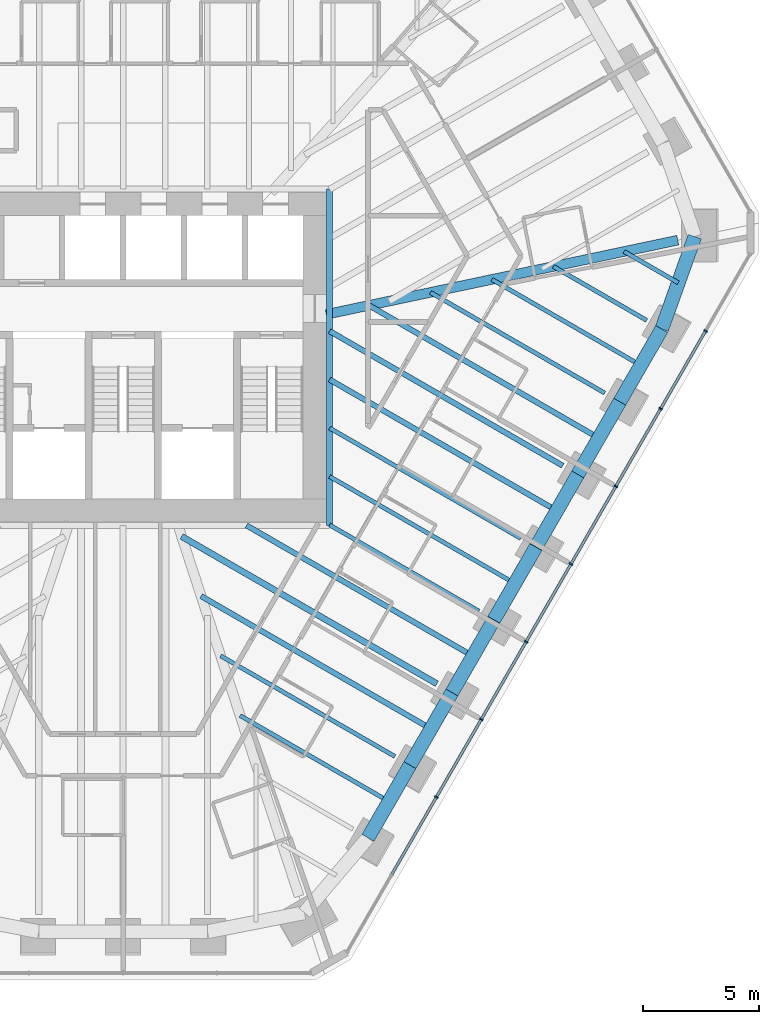
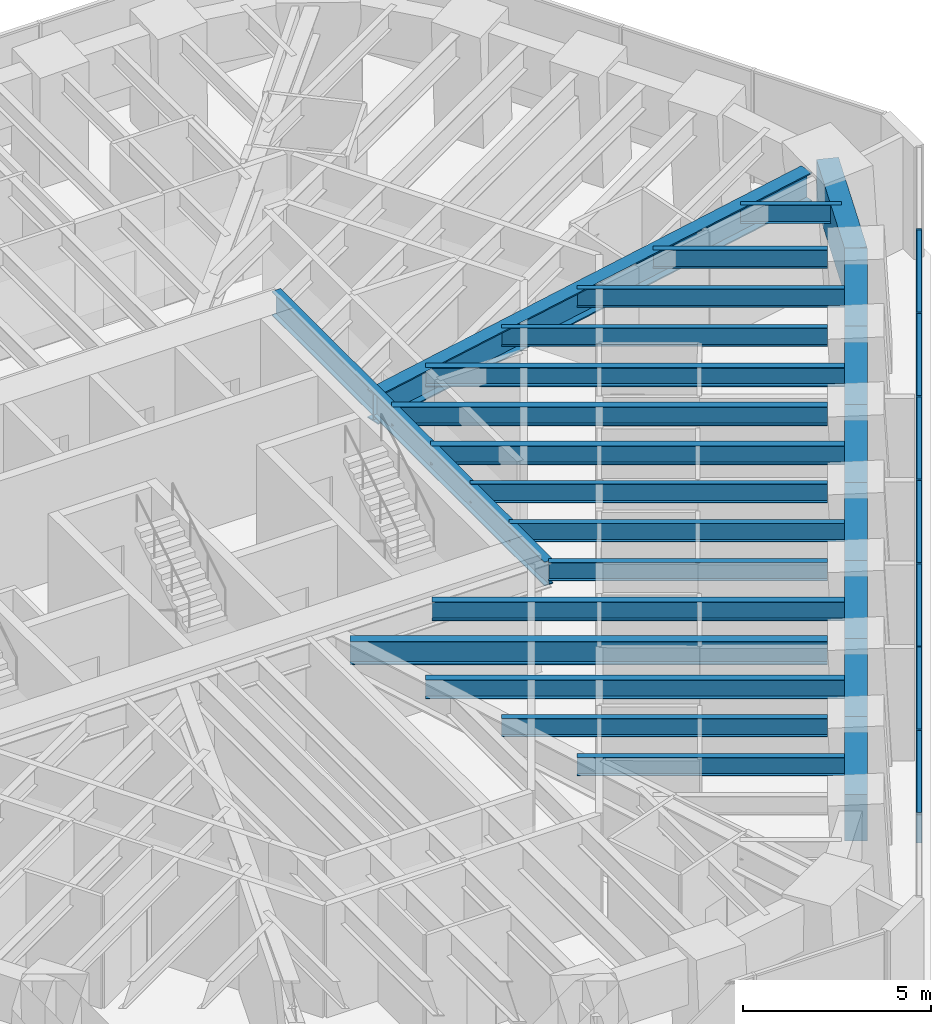
# One storey, part 5 of 17: 25 beams, 14 members, 1 element without a shape of its own.
"""IFC4 building model written with IfcOpenShell, lengths in metres."""

from ifc_helpers import new_model, si_unit, direction, frame, origin, origin_2d, place, context, subcontext, project, spatial, rectangle, i_section, extrude, material, material_profile, profile_set, type_object, element, aggregate, save


model = new_model("IFC4")

# Units and contexts
model_context = context("Model", 3, precision=1e-05, world=origin(), true_north=direction((0.0, 1.0)))
body_context = subcontext(model_context, "Body", "Model", "MODEL_VIEW")
ifc_project = project(units=[si_unit("LENGTHUNIT", "METRE"), si_unit("AREAUNIT", "SQUARE_METRE"), si_unit("VOLUMEUNIT", "CUBIC_METRE"), si_unit("PLANEANGLEUNIT", "RADIAN"), si_unit("MASSUNIT", "GRAM", prefix="KILO")], contexts=[model_context])

# Site, building, storey
site_placement = place(None, origin())
site = spatial("IfcSite", under=ifc_project, at=site_placement, CompositionType="ELEMENT")
building_placement = place(site_placement, origin())
building = spatial("IfcBuilding", under=site, at=building_placement, Name="Sandreach Pilgrim Tower", CompositionType="ELEMENT")
storey_placement = place(building_placement, frame((0.0, 0.0, 236.39990234375)))
storey = spatial("IfcBuildingStorey", under=building, at=storey_placement, Name="L59", CompositionType="ELEMENT", Elevation=236.39990234375)

# Curtain wall, members
ifc_material_1 = material(Name="Aluminium framed curtain wall", Category="aluminium")
curtain_wall_type = type_object("IfcCurtainWallType", Name="Upper hotel tower curtain wall", PredefinedType="NOTDEFINED", material=ifc_material_1)
curtain_wall_placement = place(storey_placement, origin())
curtain_wall = element("IfcCurtainWall", 1, at=curtain_wall_placement, inside=storey, type_object=curtain_wall_type, Name="CW-3 L59 SE", PredefinedType="NOTDEFINED")
ifc_material_2 = material(Name="Aluminium extrusion", Category="aluminium")
ifc_material_profile_1 = material_profile(ifc_material_2, rectangle(XDim=0.06494140625, YDim=0.159912109375, at=origin_2d()), Name="CW-3M 65X160")
ifc_profile_set_1 = profile_set([ifc_material_profile_1], Name="Aluminium extrusion")
member_type_1 = type_object("IfcMemberType", Name="CW-3 mullion", PredefinedType="MULLION", material=ifc_profile_set_1)
member_1_placement = place(storey_placement, frame((25.087890625, 1.13330078125, 0.0), z_axis=(0.0, 0.0, 1.0), x_axis=(-0.5, -0.866025403784, 0.0)))
member_1 = element("IfcMember", 2, at=member_1_placement, type_object=member_type_1, Name="CW-3 mullion 2", PredefinedType="MULLION", context=body_context, shape_type="SweptSolid", body=[
    extrude(rectangle(XDim=0.06494140625, YDim=0.159912109375, at=origin_2d()), origin(), (0.0, 0.0, 1.0), 3.64013671875),
])
member_2_placement = place(storey_placement, frame((23.15576171875, -2.21337890625, 0.0), z_axis=(0.0, 0.0, 1.0), x_axis=(-0.5, -0.866025403784, 0.0)))
member_2 = element("IfcMember", 3, at=member_2_placement, type_object=member_type_1, Name="CW-3 mullion 3", PredefinedType="MULLION", context=body_context, shape_type="SweptSolid", body=[
    extrude(rectangle(XDim=0.06494140625, YDim=0.159912109375, at=origin_2d()), origin(), (0.0, 0.0, 1.0), 3.64013671875),
])
member_3_placement = place(storey_placement, frame((21.223388671875, -5.56005859375, 0.0), z_axis=(0.0, 0.0, 1.0), x_axis=(-0.5, -0.866025403784, 0.0)))
member_3 = element("IfcMember", 4, at=member_3_placement, type_object=member_type_1, Name="CW-3 mullion 4", PredefinedType="MULLION", context=body_context, shape_type="SweptSolid", body=[
    extrude(rectangle(XDim=0.06494140625, YDim=0.159912109375, at=origin_2d()), origin(), (0.0, 0.0, 1.0), 3.64013671875),
])
member_4_placement = place(storey_placement, frame((19.291259765625, -8.90673828125, 0.0), z_axis=(0.0, 0.0, 1.0), x_axis=(-0.5, -0.866025403784, 0.0)))
member_4 = element("IfcMember", 5, at=member_4_placement, type_object=member_type_1, Name="CW-3 mullion 5", PredefinedType="MULLION", context=body_context, shape_type="SweptSolid", body=[
    extrude(rectangle(XDim=0.06494140625, YDim=0.159912109375, at=origin_2d()), origin(), (0.0, 0.0, 1.0), 3.64013671875),
])
member_5_placement = place(storey_placement, frame((17.359130859375, -12.25341796875, 0.0), z_axis=(0.0, 0.0, 1.0), x_axis=(-0.5, -0.866025403784, 0.0)))
member_5 = element("IfcMember", 6, at=member_5_placement, type_object=member_type_1, Name="CW-3 mullion 6", PredefinedType="MULLION", context=body_context, shape_type="SweptSolid", body=[
    extrude(rectangle(XDim=0.06494140625, YDim=0.159912109375, at=origin_2d()), origin(), (0.0, 0.0, 1.0), 3.64013671875),
])
member_6_placement = place(storey_placement, frame((15.4267578125, -15.60009765625, 0.0), z_axis=(0.0, 0.0, 1.0), x_axis=(-0.5, -0.866025403784, 0.0)))
member_6 = element("IfcMember", 7, at=member_6_placement, type_object=member_type_1, Name="CW-3 mullion 7", PredefinedType="MULLION", context=body_context, shape_type="SweptSolid", body=[
    extrude(rectangle(XDim=0.06494140625, YDim=0.159912109375, at=origin_2d()), origin(), (0.0, 0.0, 1.0), 3.64013671875),
])
member_7_placement = place(storey_placement, frame((13.49462890625, -18.94677734375, 0.0), z_axis=(0.0, 0.0, 1.0), x_axis=(-0.5, -0.866025403784, 0.0)))
member_7 = element("IfcMember", 8, at=member_7_placement, type_object=member_type_1, Name="CW-3 mullion 8", PredefinedType="MULLION", context=body_context, shape_type="SweptSolid", body=[
    extrude(rectangle(XDim=0.06494140625, YDim=0.159912109375, at=origin_2d()), origin(), (0.0, 0.0, 1.0), 3.64013671875),
])
ifc_material_3 = material(Name="Aluminium extrusion", Category="aluminium")
ifc_material_profile_2 = material_profile(ifc_material_3, rectangle(XDim=0.1201171875, YDim=0.070068359375, at=origin_2d()), Name="CW-3T 120X70")
ifc_profile_set_2 = profile_set([ifc_material_profile_2], Name="Aluminium extrusion")
member_type_2 = type_object("IfcMemberType", Name="CW-3 transom", PredefinedType="USERDEFINED", material=ifc_profile_set_2)
member_8_placement = place(storey_placement, frame((25.07177734375, 1.105224609375, 3.60498046875), z_axis=(-0.500022797313, -0.86601224135, 0.0), x_axis=(0.86601224135, -0.500022797313, 0.0)))
member_8 = element("IfcMember", 9, at=member_8_placement, type_object=member_type_2, Name="CW-3 head transom 2", ObjectType="TRANSOM", PredefinedType="USERDEFINED", context=body_context, shape_type="SweptSolid", body=[
    extrude(rectangle(XDim=0.1201171875, YDim=0.070068359375, at=origin_2d()), origin(), (0.0, 0.0, 1.0), 3.799560546875),
])
member_9_placement = place(storey_placement, frame((23.139404296875, -2.241455078125, 3.60498046875), z_axis=(-0.499974606132, -0.866040064445, 0.0), x_axis=(0.866040064445, -0.499974606132, 0.0)))
member_9 = element("IfcMember", 10, at=member_9_placement, type_object=member_type_2, Name="CW-3 head transom 3", ObjectType="TRANSOM", PredefinedType="USERDEFINED", context=body_context, shape_type="SweptSolid", body=[
    extrude(rectangle(XDim=0.1201171875, YDim=0.070068359375, at=origin_2d()), origin(), (0.0, 0.0, 1.0), 3.799560546875),
])
member_10_placement = place(storey_placement, frame((21.207275390625, -5.588134765625, 3.60498046875), z_axis=(-0.499974606132, -0.866040064445, 0.0), x_axis=(0.866040064445, -0.499974606132, 0.0)))
member_10 = element("IfcMember", 11, at=member_10_placement, type_object=member_type_2, Name="CW-3 head transom 4", ObjectType="TRANSOM", PredefinedType="USERDEFINED", context=body_context, shape_type="SweptSolid", body=[
    extrude(rectangle(XDim=0.1201171875, YDim=0.070068359375, at=origin_2d()), origin(), (0.0, 0.0, 1.0), 3.799560546875),
])
member_11_placement = place(storey_placement, frame((19.275146484375, -8.934814453125, 3.60498046875), z_axis=(-0.500022797313, -0.86601224135, 0.0), x_axis=(0.86601224135, -0.500022797313, 0.0)))
member_11 = element("IfcMember", 12, at=member_11_placement, type_object=member_type_2, Name="CW-3 head transom 5", ObjectType="TRANSOM", PredefinedType="USERDEFINED", context=body_context, shape_type="SweptSolid", body=[
    extrude(rectangle(XDim=0.1201171875, YDim=0.070068359375, at=origin_2d()), origin(), (0.0, 0.0, 1.0), 3.799560546875),
])
member_12_placement = place(storey_placement, frame((17.3427734375, -12.281494140625, 3.60498046875), z_axis=(-0.499974606132, -0.866040064445, 0.0), x_axis=(0.866040064445, -0.499974606132, 0.0)))
member_12 = element("IfcMember", 13, at=member_12_placement, type_object=member_type_2, Name="CW-3 head transom 6", ObjectType="TRANSOM", PredefinedType="USERDEFINED", context=body_context, shape_type="SweptSolid", body=[
    extrude(rectangle(XDim=0.1201171875, YDim=0.070068359375, at=origin_2d()), origin(), (0.0, 0.0, 1.0), 3.799560546875),
])
member_13_placement = place(storey_placement, frame((15.41064453125, -15.628173828125, 3.60498046875), z_axis=(-0.499974606132, -0.866040064445, 0.0), x_axis=(0.866040064445, -0.499974606132, 0.0)))
member_13 = element("IfcMember", 14, at=member_13_placement, type_object=member_type_2, Name="CW-3 head transom 7", ObjectType="TRANSOM", PredefinedType="USERDEFINED", context=body_context, shape_type="SweptSolid", body=[
    extrude(rectangle(XDim=0.1201171875, YDim=0.070068359375, at=origin_2d()), origin(), (0.0, 0.0, 1.0), 3.799560546875),
])
member_14_placement = place(storey_placement, frame((13.478515625, -18.974853515625, 3.60498046875), z_axis=(-0.500022797313, -0.86601224135, 0.0), x_axis=(0.86601224135, -0.500022797313, 0.0)))
member_14 = element("IfcMember", 15, at=member_14_placement, type_object=member_type_2, Name="CW-3 head transom 8", ObjectType="TRANSOM", PredefinedType="USERDEFINED", context=body_context, shape_type="SweptSolid", body=[
    extrude(rectangle(XDim=0.1201171875, YDim=0.070068359375, at=origin_2d()), origin(), (0.0, 0.0, 1.0), 3.799560546875),
])
aggregate(curtain_wall, [member_1, member_2, member_3, member_4, member_5, member_6, member_7, member_8, member_9, member_10, member_11, member_12, member_13, member_14])

# Beams
ifc_material_4 = material(Name="Steel ASTM A992 Grade 50", Category="steel")
ifc_material_profile_3 = material_profile(ifc_material_4, i_section(OverallWidth=0.2666015625, OverallDepth=0.77978515625, WebThickness=0.0166015625, FlangeThickness=0.030029296875, at=origin_2d()), Name="W30X148")
ifc_profile_set_3 = profile_set([ifc_material_profile_3], Name="Steel ASTM A992 Grade 50")
beam_type_1 = type_object("IfcBeamType", Name="Core edge beam W30X148", PredefinedType="BEAM", material=ifc_profile_set_3)
beam_1_placement = place(storey_placement, frame((8.893310546875, 7.243408203125, 3.250244140625), z_axis=(0.0, -1.0, 0.0), x_axis=(1.0, 0.0, 0.0)))
element("IfcBeam", 16, at=beam_1_placement, inside=storey, type_object=beam_type_1, Name="BM L59 CEE", PredefinedType="BEAM", context=body_context, shape_type="SweptSolid", body=[
    extrude(i_section(OverallWidth=0.2666015625, OverallDepth=0.77978515625, WebThickness=0.0166015625, FlangeThickness=0.030029296875, at=origin_2d()), origin(), (0.0, 0.0, 1.0), 14.48681640625),
])
ifc_material_5 = material(Name="Steel ASTM A992 Grade 50", Category="steel")
ifc_material_profile_4 = material_profile(ifc_material_5, i_section(OverallWidth=0.421630859375, OverallDepth=0.937255859375, WebThickness=0.0224609375, FlangeThickness=0.039794921875, at=origin_2d()), Name="W36X282")
ifc_profile_set_4 = profile_set([ifc_material_profile_4], Name="Steel ASTM A992 Grade 50")
beam_type_2 = type_object("IfcBeamType", Name="Corner girder W36X282", PredefinedType="BEAM", material=ifc_profile_set_4)
beam_2_placement = place(storey_placement, frame((23.89306640625, 5.044677734375, 3.17138671875), z_axis=(-0.978429112113, -0.206582846745, 0.0), x_axis=(0.206582846745, -0.978429112113, 0.0)))
element("IfcBeam", 17, at=beam_2_placement, inside=storey, type_object=beam_type_2, Name="BM L59 CG13", PredefinedType="BEAM", context=body_context, shape_type="SweptSolid", body=[
    extrude(i_section(OverallWidth=0.421630859375, OverallDepth=0.937255859375, WebThickness=0.0224609375, FlangeThickness=0.039794921875, at=origin_2d()), origin(), (0.0, 0.0, 1.0), 15.476806640625),
])
ifc_material_6 = material(Name="Steel ASTM A992 Grade 50", Category="steel")
ifc_material_profile_5 = material_profile(ifc_material_6, i_section(OverallWidth=0.1787109375, OverallDepth=0.60205078125, WebThickness=0.010986328125, FlangeThickness=0.014892578125, at=origin_2d()), Name="W24X62")
ifc_profile_set_5 = profile_set([ifc_material_profile_5], Name="Steel ASTM A992 Grade 50")
beam_type_3 = type_object("IfcBeamType", Name="Floor beam W24X62", PredefinedType="BEAM", material=ifc_profile_set_5)
beam_3_placement = place(storey_placement, frame((22.5517578125, 1.59130859375, 3.339111328125), z_axis=(-0.866020945878, 0.500007721242, 0.0), x_axis=(-0.500007721242, -0.866020945878, 0.0)))
element("IfcBeam", 18, at=beam_3_placement, inside=storey, type_object=beam_type_3, Name="BM L59 F14", PredefinedType="BEAM", context=body_context, shape_type="SweptSolid", body=[
    extrude(i_section(OverallWidth=0.1787109375, OverallDepth=0.60205078125, WebThickness=0.010986328125, FlangeThickness=0.014892578125, at=origin_2d()), origin(), (0.0, 0.0, 1.0), 4.642578125),
])
beam_4_placement = place(storey_placement, frame((20.743896484375, -1.539794921875, 3.339111328125), z_axis=(-0.866019559589, 0.500010122307, 0.0), x_axis=(-0.500010122307, -0.866019559589, 0.0)))
element("IfcBeam", 19, at=beam_4_placement, inside=storey, type_object=beam_type_3, Name="BM L59 F15", PredefinedType="BEAM", context=body_context, shape_type="SweptSolid", body=[
    extrude(i_section(OverallWidth=0.1787109375, OverallDepth=0.60205078125, WebThickness=0.010986328125, FlangeThickness=0.014892578125, at=origin_2d()), origin(), (0.0, 0.0, 1.0), 8.668701171875),
])
beam_5_placement = place(storey_placement, frame((17.128662109375, -7.8017578125, 3.339111328125), z_axis=(-0.866027396848, 0.499996547896, 0.0), x_axis=(-0.499996547896, -0.866027396848, 0.0)))
element("IfcBeam", 20, at=beam_5_placement, inside=storey, type_object=beam_type_3, Name="BM L59 F17", PredefinedType="BEAM", context=body_context, shape_type="SweptSolid", body=[
    extrude(i_section(OverallWidth=0.1787109375, OverallDepth=0.60205078125, WebThickness=0.010986328125, FlangeThickness=0.014892578125, at=origin_2d()), origin(), (0.0, 0.0, 1.0), 9.50927734375),
])
beam_6_placement = place(storey_placement, frame((15.32080078125, -10.932861328125, 3.339111328125), z_axis=(-0.866023987038, 0.500002453868, 0.0), x_axis=(-0.500002453868, -0.866023987038, 0.0)))
element("IfcBeam", 21, at=beam_6_placement, inside=storey, type_object=beam_type_3, Name="BM L59 F18", PredefinedType="BEAM", context=body_context, shape_type="SweptSolid", body=[
    extrude(i_section(OverallWidth=0.1787109375, OverallDepth=0.60205078125, WebThickness=0.010986328125, FlangeThickness=0.014892578125, at=origin_2d()), origin(), (0.0, 0.0, 1.0), 7.421875),
])
beam_7_placement = place(storey_placement, frame((11.70556640625, -17.19482421875, 3.339111328125), z_axis=(-0.866038795048, 0.499976804933, 0.0), x_axis=(-0.499976804933, -0.866038795048, 0.0)))
element("IfcBeam", 22, at=beam_7_placement, inside=storey, type_object=beam_type_3, Name="BM L59 F20", PredefinedType="BEAM", context=body_context, shape_type="SweptSolid", body=[
    extrude(i_section(OverallWidth=0.1787109375, OverallDepth=0.60205078125, WebThickness=0.010986328125, FlangeThickness=0.014892578125, at=origin_2d()), origin(), (0.0, 0.0, 1.0), 8.6689453125),
])
beam_8_placement = place(storey_placement, frame((23.9140625, 3.2080078125, 3.339111328125), z_axis=(-0.866055907267, 0.499947162696, 0.0), x_axis=(-0.499947162696, -0.866055907267, 0.0)))
element("IfcBeam", 23, at=beam_8_placement, inside=storey, type_object=beam_type_3, Name="BM L59 FM13", PredefinedType="BEAM", context=body_context, shape_type="SweptSolid", body=[
    extrude(i_section(OverallWidth=0.1787109375, OverallDepth=0.60205078125, WebThickness=0.010986328125, FlangeThickness=0.014892578125, at=origin_2d()), origin(), (0.0, 0.0, 1.0), 2.696044921875),
])
beam_9_placement = place(storey_placement, frame((22.29736328125, -0.34912109375, 3.339111328125), z_axis=(-0.866039558193, 0.499975483044, 0.0), x_axis=(-0.499975483044, -0.866039558193, 0.0)))
element("IfcBeam", 24, at=beam_9_placement, inside=storey, type_object=beam_type_3, Name="BM L59 FM14", PredefinedType="BEAM", context=body_context, shape_type="SweptSolid", body=[
    extrude(i_section(OverallWidth=0.1787109375, OverallDepth=0.60205078125, WebThickness=0.010986328125, FlangeThickness=0.014892578125, at=origin_2d()), origin(), (0.0, 0.0, 1.0), 7.405517578125),
])
beam_10_placement = place(storey_placement, frame((16.874267578125, -9.742431640625, 3.339111328125), z_axis=(-0.866020589223, 0.500008338972, 0.0), x_axis=(-0.500008338972, -0.866020589223, 0.0)))
element("IfcBeam", 25, at=beam_10_placement, inside=storey, type_object=beam_type_3, Name="BM L59 FM17", PredefinedType="BEAM", context=body_context, shape_type="SweptSolid", body=[
    extrude(i_section(OverallWidth=0.1787109375, OverallDepth=0.60205078125, WebThickness=0.010986328125, FlangeThickness=0.014892578125, at=origin_2d()), origin(), (0.0, 0.0, 1.0), 9.215576171875),
])
beam_11_placement = place(storey_placement, frame((11.451171875, -19.135498046875, 3.339111328125), z_axis=(-0.866025283471, 0.50000020839, 0.0), x_axis=(-0.50000020839, -0.866025283471, 0.0)))
element("IfcBeam", 26, at=beam_11_placement, inside=storey, type_object=beam_type_3, Name="BM L59 FM20", PredefinedType="BEAM", context=body_context, shape_type="SweptSolid", body=[
    extrude(i_section(OverallWidth=0.1787109375, OverallDepth=0.60205078125, WebThickness=0.010986328125, FlangeThickness=0.014892578125, at=origin_2d()), origin(), (0.0, 0.0, 1.0), 7.40576171875),
])
ifc_material_7 = material(Name="Steel ASTM A992 Grade 50", Category="steel")
ifc_material_profile_6 = material_profile(ifc_material_7, i_section(OverallWidth=0.23046875, OverallDepth=0.6171875, WebThickness=0.01318359375, FlangeThickness=0.022216796875, at=origin_2d()), Name="W24X94")
ifc_profile_set_6 = profile_set([ifc_material_profile_6], Name="Steel ASTM A992 Grade 50")
beam_type_4 = type_object("IfcBeamType", Name="Floor beam W24X94", PredefinedType="BEAM", material=ifc_profile_set_6)
beam_12_placement = place(storey_placement, frame((18.936279296875, -4.6708984375, 3.33154296875), z_axis=(-0.86602431599, 0.50000188411, 0.0), x_axis=(-0.50000188411, -0.86602431599, 0.0)))
element("IfcBeam", 27, at=beam_12_placement, inside=storey, type_object=beam_type_4, Name="BM L59 F16", PredefinedType="BEAM", context=body_context, shape_type="SweptSolid", body=[
    extrude(i_section(OverallWidth=0.23046875, OverallDepth=0.6171875, WebThickness=0.01318359375, FlangeThickness=0.022216796875, at=origin_2d()), origin(), (0.0, 0.0, 1.0), 11.5966796875),
])
beam_13_placement = place(storey_placement, frame((20.48974609375, -3.480224609375, 3.33154296875), z_axis=(-0.866022704618, 0.500004675065, 0.0), x_axis=(-0.500004675065, -0.866022704618, 0.0)))
element("IfcBeam", 28, at=beam_13_placement, inside=storey, type_object=beam_type_4, Name="BM L59 FM15", PredefinedType="BEAM", context=body_context, shape_type="SweptSolid", body=[
    extrude(i_section(OverallWidth=0.23046875, OverallDepth=0.6171875, WebThickness=0.01318359375, FlangeThickness=0.022216796875, at=origin_2d()), origin(), (0.0, 0.0, 1.0), 11.43212890625),
])
beam_14_placement = place(storey_placement, frame((18.681884765625, -6.611328125, 3.33154296875), z_axis=(-0.86602803846, 0.499995436581, 0.0), x_axis=(-0.499995436581, -0.86602803846, 0.0)))
element("IfcBeam", 29, at=beam_14_placement, inside=storey, type_object=beam_type_4, Name="BM L59 FM16", PredefinedType="BEAM", context=body_context, shape_type="SweptSolid", body=[
    extrude(i_section(OverallWidth=0.23046875, OverallDepth=0.6171875, WebThickness=0.01318359375, FlangeThickness=0.022216796875, at=origin_2d()), origin(), (0.0, 0.0, 1.0), 11.302734375),
])
beam_15_placement = place(storey_placement, frame((15.066650390625, -12.873291015625, 3.33154296875), z_axis=(-0.866035747859, 0.499982083109, 0.0), x_axis=(-0.499982083109, -0.866035747859, 0.0)))
element("IfcBeam", 30, at=beam_15_placement, inside=storey, type_object=beam_type_4, Name="BM L59 FM18", PredefinedType="BEAM", context=body_context, shape_type="SweptSolid", body=[
    extrude(i_section(OverallWidth=0.23046875, OverallDepth=0.6171875, WebThickness=0.01318359375, FlangeThickness=0.022216796875, at=origin_2d()), origin(), (0.0, 0.0, 1.0), 11.26025390625),
])
beam_16_placement = place(storey_placement, frame((13.2587890625, -16.00439453125, 3.33154296875), z_axis=(-0.866022704618, 0.500004675065, 0.0), x_axis=(-0.500004675065, -0.866022704618, 0.0)))
element("IfcBeam", 31, at=beam_16_placement, inside=storey, type_object=beam_type_4, Name="BM L59 FM19", PredefinedType="BEAM", context=body_context, shape_type="SweptSolid", body=[
    extrude(i_section(OverallWidth=0.23046875, OverallDepth=0.6171875, WebThickness=0.01318359375, FlangeThickness=0.022216796875, at=origin_2d()), origin(), (0.0, 0.0, 1.0), 11.43212890625),
])
ifc_material_8 = material(Name="Steel ASTM A992 Grade 50", Category="steel")
ifc_material_profile_7 = material_profile(ifc_material_8, i_section(OverallWidth=0.2666015625, OverallDepth=0.761962890625, WebThickness=0.014404296875, FlangeThickness=0.021484375, at=origin_2d()), Name="W30X116")
ifc_profile_set_7 = profile_set([ifc_material_profile_7], Name="Steel ASTM A992 Grade 50")
beam_type_5 = type_object("IfcBeamType", Name="Floor beam W30X116", PredefinedType="BEAM", material=ifc_profile_set_7)
beam_17_placement = place(storey_placement, frame((13.51318359375, -14.06396484375, 3.259033203125), z_axis=(-0.866023860518, 0.500002673006, 0.0), x_axis=(-0.500002673006, -0.866023860518, 0.0)))
element("IfcBeam", 32, at=beam_17_placement, inside=storey, type_object=beam_type_5, Name="BM L59 F19", PredefinedType="BEAM", context=body_context, shape_type="SweptSolid", body=[
    extrude(i_section(OverallWidth=0.2666015625, OverallDepth=0.761962890625, WebThickness=0.014404296875, FlangeThickness=0.021484375, at=origin_2d()), origin(), (0.0, 0.0, 1.0), 12.6953125),
])
ifc_material_9 = material(Name="Concrete 10000 psi", Category="concrete")
ifc_material_profile_8 = material_profile(ifc_material_9, rectangle(XDim=0.60009765625, YDim=1.5, at=origin_2d()), Name="RC600X1500")
ifc_profile_set_8 = profile_set([ifc_material_profile_8], Name="Concrete 10000 psi")
beam_type_6 = type_object("IfcBeamType", Name="Spandrel beam RC600X1500", PredefinedType="SPANDREL", material=ifc_profile_set_8)
beam_18_placement = place(storey_placement, frame((24.626708984375, 5.199462890625, 2.89013671875), z_axis=(-0.336961457624, -0.941518441708, 0.0), x_axis=(0.941518441708, -0.336961457624, 0.0)))
element("IfcBeam", 33, at=beam_18_placement, inside=storey, type_object=beam_type_6, Name="BM L59 SP13", PredefinedType="SPANDREL", context=body_context, shape_type="SweptSolid", body=[
    extrude(rectangle(XDim=0.60009765625, YDim=1.5, at=origin_2d()), origin(), (0.0, 0.0, 1.0), 4.23046875),
])
for number, where, z_axis, x_axis, name in (
    (34, (23.201171875, 1.21630859375, 2.89013671875), (-0.499973805724, -0.866040526528, 0.0), (0.866040526528, -0.499973805724, 0.0), "BM L59 SP14"),
    (35, (21.3935546875, -1.914794921875, 2.89013671875), (-0.500024450573, -0.866011286779, 0.0), (0.866011286779, -0.500024450573, 0.0), "BM L59 SP15"),
):
    element("IfcBeam", number, at=place(storey_placement, frame(where, z_axis=z_axis, x_axis=x_axis)), inside=storey, type_object=beam_type_6, Name=name, PredefinedType="SPANDREL", context=body_context, shape_type="SweptSolid", body=[
        extrude(rectangle(XDim=0.60009765625, YDim=1.5, at=origin_2d()), origin(), (0.0, 0.0, 1.0), 3.615478515625),
    ])
beam_19_placement = place(storey_placement, frame((19.585693359375, -5.0458984375, 2.89013671875), z_axis=(-0.500003046405, -0.866023644935, 0.0), x_axis=(0.866023644935, -0.500003046405, 0.0)))
element("IfcBeam", 36, at=beam_19_placement, inside=storey, type_object=beam_type_6, Name="BM L59 SP16", PredefinedType="SPANDREL", context=body_context, shape_type="SweptSolid", body=[
    extrude(rectangle(XDim=0.60009765625, YDim=1.5, at=origin_2d()), origin(), (0.0, 0.0, 1.0), 3.615234375),
])
for number, where, z_axis, x_axis, name in (
    (37, (17.778076171875, -8.1767578125, 2.89013671875), (-0.499973805724, -0.866040526528, 0.0), (0.866040526528, -0.499973805724, 0.0), "BM L59 SP17"),
    (38, (15.970458984375, -11.307861328125, 2.89013671875), (-0.500024450573, -0.866011286779, 0.0), (0.866011286779, -0.500024450573, 0.0), "BM L59 SP18"),
):
    element("IfcBeam", number, at=place(storey_placement, frame(where, z_axis=z_axis, x_axis=x_axis)), inside=storey, type_object=beam_type_6, Name=name, PredefinedType="SPANDREL", context=body_context, shape_type="SweptSolid", body=[
        extrude(rectangle(XDim=0.60009765625, YDim=1.5, at=origin_2d()), origin(), (0.0, 0.0, 1.0), 3.615478515625),
    ])
beam_20_placement = place(storey_placement, frame((14.16259765625, -14.43896484375, 2.89013671875), z_axis=(-0.500003046405, -0.866023644935, 0.0), x_axis=(0.866023644935, -0.500003046405, 0.0)))
element("IfcBeam", 39, at=beam_20_placement, inside=storey, type_object=beam_type_6, Name="BM L59 SP19", PredefinedType="SPANDREL", context=body_context, shape_type="SweptSolid", body=[
    extrude(rectangle(XDim=0.60009765625, YDim=1.5, at=origin_2d()), origin(), (0.0, 0.0, 1.0), 3.615234375),
])
beam_21_placement = place(storey_placement, frame((12.35498046875, -17.56982421875, 2.89013671875), z_axis=(-0.499973805724, -0.866040526528, 0.0), x_axis=(0.866040526528, -0.499973805724, 0.0)))
element("IfcBeam", 40, at=beam_21_placement, inside=storey, type_object=beam_type_6, Name="BM L59 SP20", PredefinedType="SPANDREL", context=body_context, shape_type="SweptSolid", body=[
    extrude(rectangle(XDim=0.60009765625, YDim=1.5, at=origin_2d()), origin(), (0.0, 0.0, 1.0), 3.615478515625),
])

save(model, "model.ifc")
